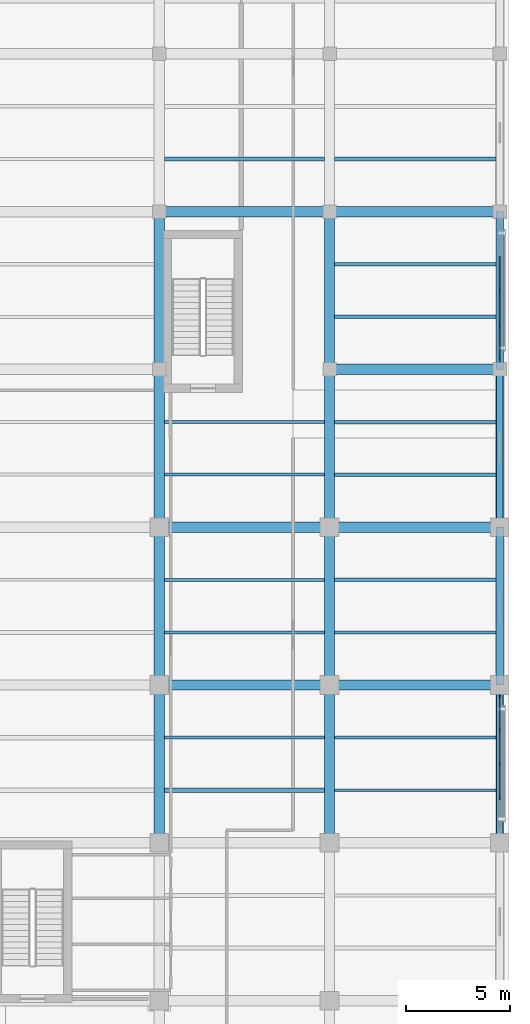
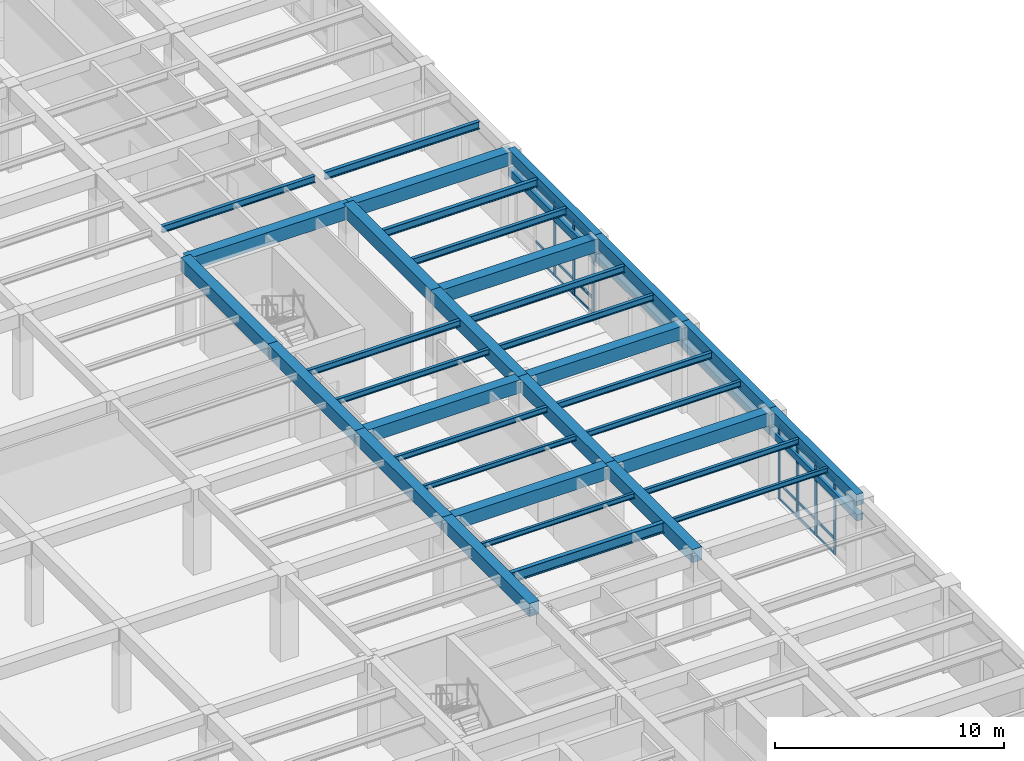
# One storey, part 24 of 49: 39 beams, 25 members, 2 elements without a shape of their own.
"""IFC4 building model written with IfcOpenShell, lengths in metres."""

from ifc_helpers import new_model, si_unit, direction, frame, origin, origin_2d, place, context, subcontext, project, spatial, rectangle, i_section, extrude, material, material_profile, profile_set, type_object, element, aggregate, save


model = new_model("IFC4")

# Units and contexts
model_context = context("Model", 3, precision=1e-05, world=origin(), true_north=direction((0.0, 1.0)))
body_context = subcontext(model_context, "Body", "Model", "MODEL_VIEW")
ifc_project = project(units=[si_unit("LENGTHUNIT", "METRE"), si_unit("AREAUNIT", "SQUARE_METRE"), si_unit("VOLUMEUNIT", "CUBIC_METRE"), si_unit("PLANEANGLEUNIT", "RADIAN"), si_unit("MASSUNIT", "GRAM", prefix="KILO")], contexts=[model_context])

# Site, building, storey
site_placement = place(None, origin())
site = spatial("IfcSite", under=ifc_project, at=site_placement, CompositionType="ELEMENT")
building_placement = place(site_placement, origin())
building = spatial("IfcBuilding", under=site, at=building_placement, Name="Qandaris Square Conservatory and Botanical Centre", CompositionType="ELEMENT")
storey_placement = place(building_placement, frame((0.0, 0.0, 10.199951171875)))
storey = spatial("IfcBuildingStorey", under=building, at=storey_placement, Name="L02", CompositionType="ELEMENT", Elevation=10.199951171875)

# Beams
ifc_material_1 = material(Name="Steel S355", Category="steel")
ifc_material_profile_1 = material_profile(ifc_material_1, i_section(OverallWidth=0.14990234375, OverallDepth=0.300048828125, WebThickness=0.007080078125, FlangeThickness=0.0107421875, FilletRadius=0.014892578125, at=origin_2d()), Name="IPE 300")
ifc_profile_set_1 = profile_set([ifc_material_profile_1], Name="Steel S355")
beam_type_1 = type_object("IfcBeamType", Name="Composite Lab Joist IPE 300", PredefinedType="JOIST", material=ifc_profile_set_1)
for number, where, z_axis, x_axis, name in (
    (1, (147.64990234375, 59.666748046875, 4.35009765625), (1.0, 0.0, 0.0), (0.0, 1.0, 0.0), "L02 Composite Joist 1508"),
    (2, (147.64990234375, 64.7333984375, 4.35009765625), (1.0, 0.0, 0.0), (0.0, 1.0, 0.0), "L02 Composite Joist 1509"),
):
    element("IfcBeam", number, at=place(storey_placement, frame(where, z_axis=z_axis, x_axis=x_axis)), inside=storey, type_object=beam_type_1, Name=name, PredefinedType="JOIST", context=body_context, shape_type="SweptSolid", body=[
        extrude(i_section(OverallWidth=0.14990234375, OverallDepth=0.300048828125, WebThickness=0.007080078125, FlangeThickness=0.0107421875, FilletRadius=0.014892578125, at=origin_2d()), origin(), (0.0, 0.0, 1.0), 7.7001953125),
    ])
for number, where, z_axis, x_axis, name in (
    (3, (155.85009765625, 52.066650390625, 4.35009765625), (1.0, 0.0, 0.0), (0.0, 1.0, 0.0), "L02 Composite Joist 1524"),
    (4, (155.85009765625, 57.13330078125, 4.35009765625), (1.0, 0.0, 0.0), (0.0, 1.0, 0.0), "L02 Composite Joist 1525"),
):
    element("IfcBeam", number, at=place(storey_placement, frame(where, z_axis=z_axis, x_axis=x_axis)), inside=storey, type_object=beam_type_1, Name=name, PredefinedType="JOIST", context=body_context, shape_type="SweptSolid", body=[
        extrude(i_section(OverallWidth=0.14990234375, OverallDepth=0.300048828125, WebThickness=0.007080078125, FlangeThickness=0.0107421875, FilletRadius=0.014892578125, at=origin_2d()), origin(), (0.0, 0.0, 1.0), 7.77490234375),
    ])
ifc_material_profile_2 = material_profile(ifc_material_1, i_section(OverallWidth=0.159912109375, OverallDepth=0.330078125, WebThickness=0.007568359375, FlangeThickness=0.011474609375, FilletRadius=0.01806640625, at=origin_2d()), Name="IPE 330")
ifc_profile_set_2 = profile_set([ifc_material_profile_2], Name="Steel S355")
beam_type_2 = type_object("IfcBeamType", Name="Composite Lab Joist IPE 330", PredefinedType="JOIST", material=ifc_profile_set_2)
beam_1_placement = place(storey_placement, frame((147.64990234375, 67.2666015625, 4.3349609375), z_axis=(1.0, 0.0, 0.0), x_axis=(0.0, 1.0, 0.0)))
element("IfcBeam", 5, at=beam_1_placement, inside=storey, type_object=beam_type_2, Name="L02 Composite Joist 1510", PredefinedType="JOIST", context=body_context, shape_type="SweptSolid", body=[
    extrude(i_section(OverallWidth=0.159912109375, OverallDepth=0.330078125, WebThickness=0.007568359375, FlangeThickness=0.011474609375, FilletRadius=0.01806640625, at=origin_2d()), origin(), (0.0, 0.0, 1.0), 7.7001953125),
])
for number, where, z_axis, x_axis, name in (
    (6, (155.85009765625, 59.666748046875, 4.3349609375), (1.0, 0.0, 0.0), (0.0, 1.0, 0.0), "L02 Composite Joist 1526"),
    (7, (155.85009765625, 64.7333984375, 4.3349609375), (1.0, 0.0, 0.0), (0.0, 1.0, 0.0), "L02 Composite Joist 1527"),
):
    element("IfcBeam", number, at=place(storey_placement, frame(where, z_axis=z_axis, x_axis=x_axis)), inside=storey, type_object=beam_type_2, Name=name, PredefinedType="JOIST", context=body_context, shape_type="SweptSolid", body=[
        extrude(i_section(OverallWidth=0.159912109375, OverallDepth=0.330078125, WebThickness=0.007568359375, FlangeThickness=0.011474609375, FilletRadius=0.01806640625, at=origin_2d()), origin(), (0.0, 0.0, 1.0), 7.77490234375),
    ])
ifc_material_profile_3 = material_profile(ifc_material_1, i_section(OverallWidth=0.169921875, OverallDepth=0.360107421875, WebThickness=0.008056640625, FlangeThickness=0.0126953125, FilletRadius=0.01806640625, at=origin_2d()), Name="IPE 360")
ifc_profile_set_3 = profile_set([ifc_material_profile_3], Name="Steel S355")
beam_type_3 = type_object("IfcBeamType", Name="Composite Lab Joist IPE 360", PredefinedType="JOIST", material=ifc_profile_set_3)
beam_2_placement = place(storey_placement, frame((147.64990234375, 79.933349609375, 4.320068359375), z_axis=(1.0, 0.0, 0.0), x_axis=(0.0, 1.0, 0.0)))
element("IfcBeam", 8, at=beam_2_placement, inside=storey, type_object=beam_type_3, Name="L02 Composite Joist 1511", PredefinedType="JOIST", context=body_context, shape_type="SweptSolid", body=[
    extrude(i_section(OverallWidth=0.169921875, OverallDepth=0.360107421875, WebThickness=0.008056640625, FlangeThickness=0.0126953125, FilletRadius=0.01806640625, at=origin_2d()), origin(), (0.0, 0.0, 1.0), 7.7001953125),
])
for number, where, z_axis, x_axis, name in (
    (9, (155.85009765625, 67.2666015625, 4.320068359375), (1.0, 0.0, 0.0), (0.0, 1.0, 0.0), "L02 Composite Joist 1528"),
    (10, (155.85009765625, 72.333251953125, 4.320068359375), (1.0, 0.0, 0.0), (0.0, 1.0, 0.0), "L02 Composite Joist 1529"),
):
    element("IfcBeam", number, at=place(storey_placement, frame(where, z_axis=z_axis, x_axis=x_axis)), inside=storey, type_object=beam_type_3, Name=name, PredefinedType="JOIST", context=body_context, shape_type="SweptSolid", body=[
        extrude(i_section(OverallWidth=0.169921875, OverallDepth=0.360107421875, WebThickness=0.008056640625, FlangeThickness=0.0126953125, FilletRadius=0.01806640625, at=origin_2d()), origin(), (0.0, 0.0, 1.0), 7.77490234375),
    ])
ifc_material_profile_4 = material_profile(ifc_material_1, i_section(OverallWidth=0.179931640625, OverallDepth=0.39990234375, WebThickness=0.008544921875, FlangeThickness=0.013427734375, FilletRadius=0.02099609375, at=origin_2d()), Name="IPE 400")
ifc_profile_set_4 = profile_set([ifc_material_profile_4], Name="Steel S355")
beam_type_4 = type_object("IfcBeamType", Name="Composite Plinth Joist IPE 400", PredefinedType="JOIST", material=ifc_profile_set_4)
for number, where, z_axis, x_axis, name in (
    (11, (155.85009765625, 74.86669921875, 4.300048828125), (1.0, 0.0, 0.0), (0.0, 1.0, 0.0), "L02 Composite Joist 1530"),
    (12, (155.85009765625, 79.933349609375, 4.300048828125), (1.0, 0.0, 0.0), (0.0, 1.0, 0.0), "L02 Composite Joist 1531"),
):
    element("IfcBeam", number, at=place(storey_placement, frame(where, z_axis=z_axis, x_axis=x_axis)), inside=storey, type_object=beam_type_4, Name=name, PredefinedType="JOIST", context=body_context, shape_type="SweptSolid", body=[
        extrude(i_section(OverallWidth=0.179931640625, OverallDepth=0.39990234375, WebThickness=0.008544921875, FlangeThickness=0.013427734375, FilletRadius=0.02099609375, at=origin_2d()), origin(), (0.0, 0.0, 1.0), 7.77490234375),
    ])

# Curtain wall, members
ifc_material_2 = material(Name="Anodised Aluminium", Category="aluminium")
curtain_wall_type_1 = type_object("IfcCurtainWallType", Name="Unitised Curtain Wall CW-4-650x394", PredefinedType="USERDEFINED", material=ifc_material_2)
curtain_wall_1_placement = place(storey_placement, origin())
curtain_wall_1 = element("IfcCurtainWall", 13, at=curtain_wall_1_placement, inside=storey, type_object=curtain_wall_type_1, Name="Curtain Wall CW-TWR-L02-2-5", ObjectType="GLAZED CURTAIN WALL", PredefinedType="USERDEFINED")
ifc_material_profile_5 = material_profile(ifc_material_2, rectangle(XDim=0.06494140625, YDim=0.179931640625, at=origin_2d()), Name="ALU-MUL 65x180")
ifc_profile_set_5 = profile_set([ifc_material_profile_5], Name="Anodised Aluminium")
member_type_1 = type_object("IfcMemberType", Name="Curtain Wall Mullion 65x180", PredefinedType="MULLION", material=ifc_profile_set_5)
member_1_placement = place(storey_placement, frame((163.800048828125, 49.175048828125, 0.0), z_axis=(0.0, 0.0, 1.0), x_axis=(-1.0, 0.0, 0.0)))
member_1 = element("IfcMember", 14, at=member_1_placement, type_object=member_type_1, Name="CW-4-650x394 mullion 2", PredefinedType="MULLION", context=body_context, shape_type="SweptSolid", body=[
    extrude(rectangle(XDim=0.06494140625, YDim=0.179931640625, at=origin_2d()), origin(), (0.0, 0.0, 1.0), 3.945068359375),
])
member_2_placement = place(storey_placement, frame((163.800048828125, 50.800048828125, 0.0), z_axis=(0.0, 0.0, 1.0), x_axis=(-1.0, 0.0, 0.0)))
member_2 = element("IfcMember", 15, at=member_2_placement, type_object=member_type_1, Name="CW-4-650x394 mullion 3", PredefinedType="MULLION", context=body_context, shape_type="SweptSolid", body=[
    extrude(rectangle(XDim=0.06494140625, YDim=0.179931640625, at=origin_2d()), origin(), (0.0, 0.0, 1.0), 3.945068359375),
])
member_3_placement = place(storey_placement, frame((163.800048828125, 52.425048828125, 0.0), z_axis=(0.0, 0.0, 1.0), x_axis=(-1.0, 0.0, 0.0)))
member_3 = element("IfcMember", 16, at=member_3_placement, type_object=member_type_1, Name="CW-4-650x394 mullion 4", PredefinedType="MULLION", context=body_context, shape_type="SweptSolid", body=[
    extrude(rectangle(XDim=0.06494140625, YDim=0.179931640625, at=origin_2d()), origin(), (0.0, 0.0, 1.0), 3.945068359375),
])
member_4_placement = place(storey_placement, frame((163.800048828125, 54.017578125, 0.0), z_axis=(0.0, 0.0, 1.0), x_axis=(-1.0, 0.0, 0.0)))
member_4 = element("IfcMember", 17, at=member_4_placement, type_object=member_type_1, Name="CW-4-650x394 mullion 5", PredefinedType="MULLION", context=body_context, shape_type="SweptSolid", body=[
    extrude(rectangle(XDim=0.06494140625, YDim=0.179931640625, at=origin_2d()), origin(), (0.0, 0.0, 1.0), 3.945068359375),
])

curtain_wall_type_2 = type_object("IfcCurtainWallType", Name="Unitised Curtain Wall CW-4-675x394", PredefinedType="USERDEFINED", material=ifc_material_2)
curtain_wall_2_placement = place(storey_placement, origin())
curtain_wall_2 = element("IfcCurtainWall", 18, at=curtain_wall_2_placement, inside=storey, type_object=curtain_wall_type_2, Name="Curtain Wall CW-TWR-L02-2-8", ObjectType="GLAZED CURTAIN WALL", PredefinedType="USERDEFINED")
member_5_placement = place(storey_placement, frame((163.800048828125, 70.257568359375, 0.0), z_axis=(0.0, 0.0, 1.0), x_axis=(-1.0, 0.0, 0.0)))
member_5 = element("IfcMember", 19, at=member_5_placement, type_object=member_type_1, Name="CW-4-675x394 mullion 1", PredefinedType="MULLION", context=body_context, shape_type="SweptSolid", body=[
    extrude(rectangle(XDim=0.06494140625, YDim=0.179931640625, at=origin_2d()), origin(), (0.0, 0.0, 1.0), 3.945068359375),
])
member_6_placement = place(storey_placement, frame((163.800048828125, 71.91259765625, 0.0), z_axis=(0.0, 0.0, 1.0), x_axis=(-1.0, 0.0, 0.0)))
member_6 = element("IfcMember", 20, at=member_6_placement, type_object=member_type_1, Name="CW-4-675x394 mullion 2", PredefinedType="MULLION", context=body_context, shape_type="SweptSolid", body=[
    extrude(rectangle(XDim=0.06494140625, YDim=0.179931640625, at=origin_2d()), origin(), (0.0, 0.0, 1.0), 3.945068359375),
])
member_7_placement = place(storey_placement, frame((163.800048828125, 73.60009765625, 0.0), z_axis=(0.0, 0.0, 1.0), x_axis=(-1.0, 0.0, 0.0)))
member_7 = element("IfcMember", 21, at=member_7_placement, type_object=member_type_1, Name="CW-4-675x394 mullion 3", PredefinedType="MULLION", context=body_context, shape_type="SweptSolid", body=[
    extrude(rectangle(XDim=0.06494140625, YDim=0.179931640625, at=origin_2d()), origin(), (0.0, 0.0, 1.0), 3.945068359375),
])

# Member
ifc_material_profile_6 = material_profile(ifc_material_2, rectangle(XDim=0.06494140625, YDim=0.139892578125, at=origin_2d()), Name="ALU-TRN 65x140")
ifc_profile_set_6 = profile_set([ifc_material_profile_6], Name="Anodised Aluminium")
member_type_2 = type_object("IfcMemberType", Name="Curtain Wall Transom 65x140", PredefinedType="USERDEFINED", material=ifc_profile_set_6)
member_8_placement = place(storey_placement, frame((163.800048828125, 49.20751953125, 0.032470703125), z_axis=(0.0, 1.0, 0.0), x_axis=(-1.0, 0.0, 0.0)))
member_8 = element("IfcMember", 22, at=member_8_placement, type_object=member_type_2, Name="CW-4-650x394 transom 2.1", ObjectType="TRANSOM", PredefinedType="USERDEFINED", context=body_context, shape_type="SweptSolid", body=[
    extrude(rectangle(XDim=0.06494140625, YDim=0.139892578125, at=origin_2d()), origin(), (0.0, 0.0, 1.0), 1.56005859375),
])

member_9_placement = place(storey_placement, frame((163.800048828125, 49.20751953125, 0.85009765625), z_axis=(0.0, 1.0, 0.0), x_axis=(-1.0, 0.0, 0.0)))
member_9 = element("IfcMember", 23, at=member_9_placement, type_object=member_type_2, Name="CW-4-650x394 transom 2.2", ObjectType="TRANSOM", PredefinedType="USERDEFINED", context=body_context, shape_type="SweptSolid", body=[
    extrude(rectangle(XDim=0.06494140625, YDim=0.139892578125, at=origin_2d()), origin(), (0.0, 0.0, 1.0), 1.56005859375),
])

member_10_placement = place(storey_placement, frame((163.800048828125, 49.20751953125, 3.91259765625), z_axis=(0.0, 1.0, 0.0), x_axis=(-1.0, 0.0, 0.0)))
member_10 = element("IfcMember", 24, at=member_10_placement, type_object=member_type_2, Name="CW-4-650x394 transom 2.3", ObjectType="TRANSOM", PredefinedType="USERDEFINED", context=body_context, shape_type="SweptSolid", body=[
    extrude(rectangle(XDim=0.06494140625, YDim=0.139892578125, at=origin_2d()), origin(), (0.0, 0.0, 1.0), 1.56005859375),
])

member_11_placement = place(storey_placement, frame((163.800048828125, 50.83251953125, 0.032470703125), z_axis=(0.0, 1.0, 0.0), x_axis=(-1.0, 0.0, 0.0)))
member_11 = element("IfcMember", 25, at=member_11_placement, type_object=member_type_2, Name="CW-4-650x394 transom 3.1", ObjectType="TRANSOM", PredefinedType="USERDEFINED", context=body_context, shape_type="SweptSolid", body=[
    extrude(rectangle(XDim=0.06494140625, YDim=0.139892578125, at=origin_2d()), origin(), (0.0, 0.0, 1.0), 1.56005859375),
])

member_12_placement = place(storey_placement, frame((163.800048828125, 50.83251953125, 0.85009765625), z_axis=(0.0, 1.0, 0.0), x_axis=(-1.0, 0.0, 0.0)))
member_12 = element("IfcMember", 26, at=member_12_placement, type_object=member_type_2, Name="CW-4-650x394 transom 3.2", ObjectType="TRANSOM", PredefinedType="USERDEFINED", context=body_context, shape_type="SweptSolid", body=[
    extrude(rectangle(XDim=0.06494140625, YDim=0.139892578125, at=origin_2d()), origin(), (0.0, 0.0, 1.0), 1.56005859375),
])

member_13_placement = place(storey_placement, frame((163.800048828125, 50.83251953125, 3.91259765625), z_axis=(0.0, 1.0, 0.0), x_axis=(-1.0, 0.0, 0.0)))
member_13 = element("IfcMember", 27, at=member_13_placement, type_object=member_type_2, Name="CW-4-650x394 transom 3.3", ObjectType="TRANSOM", PredefinedType="USERDEFINED", context=body_context, shape_type="SweptSolid", body=[
    extrude(rectangle(XDim=0.06494140625, YDim=0.139892578125, at=origin_2d()), origin(), (0.0, 0.0, 1.0), 1.56005859375),
])

member_14_placement = place(storey_placement, frame((163.800048828125, 52.45751953125, 0.032470703125), z_axis=(0.0, 1.0, 0.0), x_axis=(-1.0, 0.0, 0.0)))
member_14 = element("IfcMember", 28, at=member_14_placement, type_object=member_type_2, Name="CW-4-650x394 transom 4.1", ObjectType="TRANSOM", PredefinedType="USERDEFINED", context=body_context, shape_type="SweptSolid", body=[
    extrude(rectangle(XDim=0.06494140625, YDim=0.139892578125, at=origin_2d()), origin(), (0.0, 0.0, 1.0), 1.527587890625),
])

member_15_placement = place(storey_placement, frame((163.800048828125, 52.45751953125, 0.85009765625), z_axis=(0.0, 1.0, 0.0), x_axis=(-1.0, 0.0, 0.0)))
member_15 = element("IfcMember", 29, at=member_15_placement, type_object=member_type_2, Name="CW-4-650x394 transom 4.2", ObjectType="TRANSOM", PredefinedType="USERDEFINED", context=body_context, shape_type="SweptSolid", body=[
    extrude(rectangle(XDim=0.06494140625, YDim=0.139892578125, at=origin_2d()), origin(), (0.0, 0.0, 1.0), 1.527587890625),
])

member_16_placement = place(storey_placement, frame((163.800048828125, 52.45751953125, 3.91259765625), z_axis=(0.0, 1.0, 0.0), x_axis=(-1.0, 0.0, 0.0)))
member_16 = element("IfcMember", 30, at=member_16_placement, type_object=member_type_2, Name="CW-4-650x394 transom 4.3", ObjectType="TRANSOM", PredefinedType="USERDEFINED", context=body_context, shape_type="SweptSolid", body=[
    extrude(rectangle(XDim=0.06494140625, YDim=0.139892578125, at=origin_2d()), origin(), (0.0, 0.0, 1.0), 1.527587890625),
])

aggregate(curtain_wall_1, [member_1, member_2, member_3, member_4, member_8, member_9, member_10, member_11, member_12, member_13, member_14, member_15, member_16])

member_17_placement = place(storey_placement, frame((163.800048828125, 70.2900390625, 0.032470703125), z_axis=(0.0, 1.0, 0.0), x_axis=(-1.0, 0.0, 0.0)))
member_17 = element("IfcMember", 31, at=member_17_placement, type_object=member_type_2, Name="CW-4-675x394 transom 1.1", ObjectType="TRANSOM", PredefinedType="USERDEFINED", context=body_context, shape_type="SweptSolid", body=[
    extrude(rectangle(XDim=0.06494140625, YDim=0.139892578125, at=origin_2d()), origin(), (0.0, 0.0, 1.0), 1.58984375),
])

member_18_placement = place(storey_placement, frame((163.800048828125, 70.2900390625, 0.85009765625), z_axis=(0.0, 1.0, 0.0), x_axis=(-1.0, 0.0, 0.0)))
member_18 = element("IfcMember", 32, at=member_18_placement, type_object=member_type_2, Name="CW-4-675x394 transom 1.2", ObjectType="TRANSOM", PredefinedType="USERDEFINED", context=body_context, shape_type="SweptSolid", body=[
    extrude(rectangle(XDim=0.06494140625, YDim=0.139892578125, at=origin_2d()), origin(), (0.0, 0.0, 1.0), 1.58984375),
])

member_19_placement = place(storey_placement, frame((163.800048828125, 70.2900390625, 3.91259765625), z_axis=(0.0, 1.0, 0.0), x_axis=(-1.0, 0.0, 0.0)))
member_19 = element("IfcMember", 33, at=member_19_placement, type_object=member_type_2, Name="CW-4-675x394 transom 1.3", ObjectType="TRANSOM", PredefinedType="USERDEFINED", context=body_context, shape_type="SweptSolid", body=[
    extrude(rectangle(XDim=0.06494140625, YDim=0.139892578125, at=origin_2d()), origin(), (0.0, 0.0, 1.0), 1.58984375),
])

member_20_placement = place(storey_placement, frame((163.800048828125, 71.945068359375, 0.032470703125), z_axis=(0.0, 1.0, 0.0), x_axis=(-1.0, 0.0, 0.0)))
member_20 = element("IfcMember", 34, at=member_20_placement, type_object=member_type_2, Name="CW-4-675x394 transom 2.1", ObjectType="TRANSOM", PredefinedType="USERDEFINED", context=body_context, shape_type="SweptSolid", body=[
    extrude(rectangle(XDim=0.06494140625, YDim=0.139892578125, at=origin_2d()), origin(), (0.0, 0.0, 1.0), 1.622314453125),
])

member_21_placement = place(storey_placement, frame((163.800048828125, 71.945068359375, 0.85009765625), z_axis=(0.0, 1.0, 0.0), x_axis=(-1.0, 0.0, 0.0)))
member_21 = element("IfcMember", 35, at=member_21_placement, type_object=member_type_2, Name="CW-4-675x394 transom 2.2", ObjectType="TRANSOM", PredefinedType="USERDEFINED", context=body_context, shape_type="SweptSolid", body=[
    extrude(rectangle(XDim=0.06494140625, YDim=0.139892578125, at=origin_2d()), origin(), (0.0, 0.0, 1.0), 1.622314453125),
])

member_22_placement = place(storey_placement, frame((163.800048828125, 71.945068359375, 3.91259765625), z_axis=(0.0, 1.0, 0.0), x_axis=(-1.0, 0.0, 0.0)))
member_22 = element("IfcMember", 36, at=member_22_placement, type_object=member_type_2, Name="CW-4-675x394 transom 2.3", ObjectType="TRANSOM", PredefinedType="USERDEFINED", context=body_context, shape_type="SweptSolid", body=[
    extrude(rectangle(XDim=0.06494140625, YDim=0.139892578125, at=origin_2d()), origin(), (0.0, 0.0, 1.0), 1.622314453125),
])

member_23_placement = place(storey_placement, frame((163.800048828125, 73.632568359375, 0.032470703125), z_axis=(0.0, 1.0, 0.0), x_axis=(-1.0, 0.0, 0.0)))
member_23 = element("IfcMember", 37, at=member_23_placement, type_object=member_type_2, Name="CW-4-675x394 transom 3.1", ObjectType="TRANSOM", PredefinedType="USERDEFINED", context=body_context, shape_type="SweptSolid", body=[
    extrude(rectangle(XDim=0.06494140625, YDim=0.139892578125, at=origin_2d()), origin(), (0.0, 0.0, 1.0), 1.622314453125),
])

member_24_placement = place(storey_placement, frame((163.800048828125, 73.632568359375, 0.85009765625), z_axis=(0.0, 1.0, 0.0), x_axis=(-1.0, 0.0, 0.0)))
member_24 = element("IfcMember", 38, at=member_24_placement, type_object=member_type_2, Name="CW-4-675x394 transom 3.2", ObjectType="TRANSOM", PredefinedType="USERDEFINED", context=body_context, shape_type="SweptSolid", body=[
    extrude(rectangle(XDim=0.06494140625, YDim=0.139892578125, at=origin_2d()), origin(), (0.0, 0.0, 1.0), 1.622314453125),
])

member_25_placement = place(storey_placement, frame((163.800048828125, 73.632568359375, 3.91259765625), z_axis=(0.0, 1.0, 0.0), x_axis=(-1.0, 0.0, 0.0)))
member_25 = element("IfcMember", 39, at=member_25_placement, type_object=member_type_2, Name="CW-4-675x394 transom 3.3", ObjectType="TRANSOM", PredefinedType="USERDEFINED", context=body_context, shape_type="SweptSolid", body=[
    extrude(rectangle(XDim=0.06494140625, YDim=0.139892578125, at=origin_2d()), origin(), (0.0, 0.0, 1.0), 1.622314453125),
])

aggregate(curtain_wall_2, [member_5, member_6, member_7, member_17, member_18, member_19, member_20, member_21, member_22, member_23, member_24, member_25])

# Beams
ifc_material_profile_7 = material_profile(ifc_material_1, i_section(OverallWidth=0.2099609375, OverallDepth=0.550048828125, WebThickness=0.010986328125, FlangeThickness=0.01708984375, FilletRadius=0.02392578125, at=origin_2d()), Name="IPE 550")
ifc_profile_set_7 = profile_set([ifc_material_profile_7], Name="Steel S355")
beam_type_5 = type_object("IfcBeamType", Name="Long-Span Foyer Joist IPE 550", PredefinedType="JOIST", material=ifc_profile_set_7)
beam_3_placement = place(storey_placement, frame((147.64990234375, 49.533203125, 4.22509765625), z_axis=(1.0, 0.0, 0.0), x_axis=(0.0, 1.0, 0.0)))
element("IfcBeam", 40, at=beam_3_placement, inside=storey, type_object=beam_type_5, Name="L02 Composite Joist 1505", PredefinedType="JOIST", context=body_context, shape_type="SweptSolid", body=[
    extrude(i_section(OverallWidth=0.2099609375, OverallDepth=0.550048828125, WebThickness=0.010986328125, FlangeThickness=0.01708984375, FilletRadius=0.02392578125, at=origin_2d()), origin(), (0.0, 0.0, 1.0), 7.7001953125),
])
ifc_material_3 = material(Name="Precast concrete C40/50", Category="concrete")
ifc_material_profile_8 = material_profile(ifc_material_3, rectangle(XDim=0.300048828125, YDim=0.35009765625, at=origin_2d()), Name="RC-LN 300x350")
ifc_profile_set_8 = profile_set([ifc_material_profile_8], Name="Precast concrete C40/50")
beam_type_6 = type_object("IfcBeamType", Name="Precast Opening Lintel 300x350", PredefinedType="LINTEL", material=ifc_profile_set_8)
for number, where, z_axis, x_axis, name in (
    (41, (163.800048828125, 47.0, 3.295166015625), (0.0, 1.0, 0.0), (-1.0, 0.0, 0.0), "Precast Lintel 030"),
    (42, (163.800048828125, 62.199951171875, 3.295166015625), (0.0, 1.0, 0.0), (-1.0, 0.0, 0.0), "Precast Lintel 032"),
):
    element("IfcBeam", number, at=place(storey_placement, frame(where, z_axis=z_axis, x_axis=x_axis)), inside=storey, type_object=beam_type_6, Name=name, PredefinedType="LINTEL", context=body_context, shape_type="SweptSolid", body=[
        extrude(rectangle(XDim=0.300048828125, YDim=0.35009765625, at=origin_2d()), origin(), (0.0, 0.0, 1.0), 7.60009765625),
    ])
ifc_material_profile_9 = material_profile(ifc_material_3, rectangle(XDim=0.35009765625, YDim=0.39990234375, at=origin_2d()), Name="RC-LN 350x400")
ifc_profile_set_9 = profile_set([ifc_material_profile_9], Name="Precast concrete C40/50")
beam_type_7 = type_object("IfcBeamType", Name="Precast Opening Lintel 350x400", PredefinedType="LINTEL", material=ifc_profile_set_9)
for number, where, z_axis, x_axis, name in (
    (43, (163.800048828125, 54.60009765625, 3.320068359375), (0.0, 1.0, 0.0), (-1.0, 0.0, 0.0), "Precast Lintel 031"),
    (44, (163.800048828125, 69.800048828125, 3.320068359375), (0.0, 1.0, 0.0), (-1.0, 0.0, 0.0), "Precast Lintel 033"),
):
    element("IfcBeam", number, at=place(storey_placement, frame(where, z_axis=z_axis, x_axis=x_axis)), inside=storey, type_object=beam_type_7, Name=name, PredefinedType="LINTEL", context=body_context, shape_type="SweptSolid", body=[
        extrude(rectangle(XDim=0.35009765625, YDim=0.39990234375, at=origin_2d()), origin(), (0.0, 0.0, 1.0), 7.599853515625),
    ])
ifc_material_4 = material(Name="Concrete C50/60", Category="concrete")
ifc_material_profile_10 = material_profile(ifc_material_4, rectangle(XDim=0.35009765625, YDim=0.60009765625, at=origin_2d()), Name="RC-SP 350x600")
ifc_profile_set_10 = profile_set([ifc_material_profile_10], Name="Concrete C50/60")
beam_type_8 = type_object("IfcBeamType", Name="RC Edge Spandrel Beam 350x600", PredefinedType="SPANDREL", material=ifc_profile_set_10)
beam_4_placement = place(storey_placement, frame((163.800048828125, 47.0, 4.2451171875), z_axis=(0.0, 1.0, 0.0), x_axis=(-1.0, 0.0, 0.0)))
element("IfcBeam", 45, at=beam_4_placement, inside=storey, type_object=beam_type_8, Name="L02 Frame Beam 1454", PredefinedType="SPANDREL", context=body_context, shape_type="SweptSolid", body=[
    extrude(rectangle(XDim=0.35009765625, YDim=0.60009765625, at=origin_2d()), origin(), (0.0, 0.0, 1.0), 7.60009765625),
])
beam_5_placement = place(storey_placement, frame((163.800048828125, 54.60009765625, 4.2451171875), z_axis=(0.0, 1.0, 0.0), x_axis=(-1.0, 0.0, 0.0)))
element("IfcBeam", 46, at=beam_5_placement, inside=storey, type_object=beam_type_8, Name="L02 Frame Beam 1455", PredefinedType="SPANDREL", context=body_context, shape_type="SweptSolid", body=[
    extrude(rectangle(XDim=0.35009765625, YDim=0.60009765625, at=origin_2d()), origin(), (0.0, 0.0, 1.0), 7.599853515625),
])
beam_6_placement = place(storey_placement, frame((163.800048828125, 62.199951171875, 4.2451171875), z_axis=(0.0, 1.0, 0.0), x_axis=(-1.0, 0.0, 0.0)))
element("IfcBeam", 47, at=beam_6_placement, inside=storey, type_object=beam_type_8, Name="L02 Frame Beam 1456", PredefinedType="SPANDREL", context=body_context, shape_type="SweptSolid", body=[
    extrude(rectangle(XDim=0.35009765625, YDim=0.60009765625, at=origin_2d()), origin(), (0.0, 0.0, 1.0), 7.60009765625),
])
beam_7_placement = place(storey_placement, frame((163.800048828125, 69.800048828125, 4.2451171875), z_axis=(0.0, 1.0, 0.0), x_axis=(-1.0, 0.0, 0.0)))
element("IfcBeam", 48, at=beam_7_placement, inside=storey, type_object=beam_type_8, Name="L02 Frame Beam 1457", PredefinedType="SPANDREL", context=body_context, shape_type="SweptSolid", body=[
    extrude(rectangle(XDim=0.35009765625, YDim=0.60009765625, at=origin_2d()), origin(), (0.0, 0.0, 1.0), 7.599853515625),
])
ifc_material_profile_11 = material_profile(ifc_material_4, rectangle(XDim=0.5, YDim=0.699951171875, at=origin_2d()), Name="RC-BM 500x700")
ifc_profile_set_11 = profile_set([ifc_material_profile_11], Name="Concrete C50/60")
beam_type_9 = type_object("IfcBeamType", Name="RC Floor Girder 500x700", PredefinedType="BEAM", material=ifc_profile_set_11)
beam_8_placement = place(storey_placement, frame((147.39990234375, 54.60009765625, 4.16015625), z_axis=(1.0, 0.0, 0.0), x_axis=(0.0, 1.0, 0.0)))
element("IfcBeam", 49, at=beam_8_placement, inside=storey, type_object=beam_type_9, Name="L02 Frame Beam 1340", PredefinedType="BEAM", context=body_context, shape_type="SweptSolid", body=[
    extrude(rectangle(XDim=0.5, YDim=0.699951171875, at=origin_2d()), origin(), (0.0, 0.0, 1.0), 8.2001953125),
])
beam_9_placement = place(storey_placement, frame((155.60009765625, 54.60009765625, 4.16015625), z_axis=(1.0, 0.0, 0.0), x_axis=(0.0, 1.0, 0.0)))
element("IfcBeam", 50, at=beam_9_placement, inside=storey, type_object=beam_type_9, Name="L02 Frame Beam 1341", PredefinedType="BEAM", context=body_context, shape_type="SweptSolid", body=[
    extrude(rectangle(XDim=0.5, YDim=0.699951171875, at=origin_2d()), origin(), (0.0, 0.0, 1.0), 8.199951171875),
])
beam_10_placement = place(storey_placement, frame((147.39990234375, 62.199951171875, 4.16015625), z_axis=(1.0, 0.0, 0.0), x_axis=(0.0, 1.0, 0.0)))
element("IfcBeam", 51, at=beam_10_placement, inside=storey, type_object=beam_type_9, Name="L02 Frame Beam 1346", PredefinedType="BEAM", context=body_context, shape_type="SweptSolid", body=[
    extrude(rectangle(XDim=0.5, YDim=0.699951171875, at=origin_2d()), origin(), (0.0, 0.0, 1.0), 8.2001953125),
])
for number, where, z_axis, x_axis, name in (
    (52, (155.60009765625, 62.199951171875, 4.16015625), (1.0, 0.0, 0.0), (0.0, 1.0, 0.0), "L02 Frame Beam 1347"),
    (53, (155.60009765625, 69.800048828125, 4.16015625), (1.0, 0.0, 0.0), (0.0, 1.0, 0.0), "L02 Frame Beam 1352"),
):
    element("IfcBeam", number, at=place(storey_placement, frame(where, z_axis=z_axis, x_axis=x_axis)), inside=storey, type_object=beam_type_9, Name=name, PredefinedType="BEAM", context=body_context, shape_type="SweptSolid", body=[
        extrude(rectangle(XDim=0.5, YDim=0.699951171875, at=origin_2d()), origin(), (0.0, 0.0, 1.0), 8.199951171875),
    ])
beam_11_placement = place(storey_placement, frame((147.39990234375, 77.39990234375, 4.16015625), z_axis=(1.0, 0.0, 0.0), x_axis=(0.0, 1.0, 0.0)))
element("IfcBeam", 54, at=beam_11_placement, inside=storey, type_object=beam_type_9, Name="L02 Frame Beam 1357", PredefinedType="BEAM", context=body_context, shape_type="SweptSolid", body=[
    extrude(rectangle(XDim=0.5, YDim=0.699951171875, at=origin_2d()), origin(), (0.0, 0.0, 1.0), 8.2001953125),
])
beam_12_placement = place(storey_placement, frame((155.60009765625, 77.39990234375, 4.16015625), z_axis=(1.0, 0.0, 0.0), x_axis=(0.0, 1.0, 0.0)))
element("IfcBeam", 55, at=beam_12_placement, inside=storey, type_object=beam_type_9, Name="L02 Frame Beam 1358", PredefinedType="BEAM", context=body_context, shape_type="SweptSolid", body=[
    extrude(rectangle(XDim=0.5, YDim=0.699951171875, at=origin_2d()), origin(), (0.0, 0.0, 1.0), 8.199951171875),
])
beam_13_placement = place(storey_placement, frame((147.39990234375, 47.0, 4.16015625), z_axis=(0.0, 1.0, 0.0), x_axis=(-1.0, 0.0, 0.0)))
element("IfcBeam", 56, at=beam_13_placement, inside=storey, type_object=beam_type_9, Name="L02 Frame Beam 1432", PredefinedType="BEAM", context=body_context, shape_type="SweptSolid", body=[
    extrude(rectangle(XDim=0.5, YDim=0.699951171875, at=origin_2d()), origin(), (0.0, 0.0, 1.0), 7.60009765625),
])
beam_14_placement = place(storey_placement, frame((147.39990234375, 54.60009765625, 4.16015625), z_axis=(0.0, 1.0, 0.0), x_axis=(-1.0, 0.0, 0.0)))
element("IfcBeam", 57, at=beam_14_placement, inside=storey, type_object=beam_type_9, Name="L02 Frame Beam 1433", PredefinedType="BEAM", context=body_context, shape_type="SweptSolid", body=[
    extrude(rectangle(XDim=0.5, YDim=0.699951171875, at=origin_2d()), origin(), (0.0, 0.0, 1.0), 7.599853515625),
])
beam_15_placement = place(storey_placement, frame((147.39990234375, 62.199951171875, 4.16015625), z_axis=(0.0, 1.0, 0.0), x_axis=(-1.0, 0.0, 0.0)))
element("IfcBeam", 58, at=beam_15_placement, inside=storey, type_object=beam_type_9, Name="L02 Frame Beam 1434", PredefinedType="BEAM", context=body_context, shape_type="SweptSolid", body=[
    extrude(rectangle(XDim=0.5, YDim=0.699951171875, at=origin_2d()), origin(), (0.0, 0.0, 1.0), 7.60009765625),
])
beam_16_placement = place(storey_placement, frame((147.39990234375, 69.800048828125, 4.16015625), z_axis=(0.0, 1.0, 0.0), x_axis=(-1.0, 0.0, 0.0)))
element("IfcBeam", 59, at=beam_16_placement, inside=storey, type_object=beam_type_9, Name="L02 Frame Beam 1435", PredefinedType="BEAM", context=body_context, shape_type="SweptSolid", body=[
    extrude(rectangle(XDim=0.5, YDim=0.699951171875, at=origin_2d()), origin(), (0.0, 0.0, 1.0), 7.599853515625),
])
beam_17_placement = place(storey_placement, frame((155.60009765625, 47.0, 4.16015625), z_axis=(0.0, 1.0, 0.0), x_axis=(-1.0, 0.0, 0.0)))
element("IfcBeam", 60, at=beam_17_placement, inside=storey, type_object=beam_type_9, Name="L02 Frame Beam 1443", PredefinedType="BEAM", context=body_context, shape_type="SweptSolid", body=[
    extrude(rectangle(XDim=0.5, YDim=0.699951171875, at=origin_2d()), origin(), (0.0, 0.0, 1.0), 7.60009765625),
])
beam_18_placement = place(storey_placement, frame((155.60009765625, 54.60009765625, 4.16015625), z_axis=(0.0, 1.0, 0.0), x_axis=(-1.0, 0.0, 0.0)))
element("IfcBeam", 61, at=beam_18_placement, inside=storey, type_object=beam_type_9, Name="L02 Frame Beam 1444", PredefinedType="BEAM", context=body_context, shape_type="SweptSolid", body=[
    extrude(rectangle(XDim=0.5, YDim=0.699951171875, at=origin_2d()), origin(), (0.0, 0.0, 1.0), 7.599853515625),
])
beam_19_placement = place(storey_placement, frame((155.60009765625, 62.199951171875, 4.16015625), z_axis=(0.0, 1.0, 0.0), x_axis=(-1.0, 0.0, 0.0)))
element("IfcBeam", 62, at=beam_19_placement, inside=storey, type_object=beam_type_9, Name="L02 Frame Beam 1445", PredefinedType="BEAM", context=body_context, shape_type="SweptSolid", body=[
    extrude(rectangle(XDim=0.5, YDim=0.699951171875, at=origin_2d()), origin(), (0.0, 0.0, 1.0), 7.60009765625),
])
beam_20_placement = place(storey_placement, frame((155.60009765625, 69.800048828125, 4.16015625), z_axis=(0.0, 1.0, 0.0), x_axis=(-1.0, 0.0, 0.0)))
element("IfcBeam", 63, at=beam_20_placement, inside=storey, type_object=beam_type_9, Name="L02 Frame Beam 1446", PredefinedType="BEAM", context=body_context, shape_type="SweptSolid", body=[
    extrude(rectangle(XDim=0.5, YDim=0.699951171875, at=origin_2d()), origin(), (0.0, 0.0, 1.0), 7.599853515625),
])
ifc_material_profile_12 = material_profile(ifc_material_1, i_section(OverallWidth=0.135009765625, OverallDepth=0.27001953125, WebThickness=0.006591796875, FlangeThickness=0.01025390625, FilletRadius=0.014892578125, at=origin_2d()), Name="IPE 270")
ifc_profile_set_12 = profile_set([ifc_material_profile_12], Name="Steel S355")
beam_type_10 = type_object("IfcBeamType", Name="Steel Floor Joist IPE 270", PredefinedType="JOIST", material=ifc_profile_set_12)
for number, where, z_axis, x_axis, name in (
    (64, (147.64990234375, 52.066650390625, 4.364990234375), (1.0, 0.0, 0.0), (0.0, 1.0, 0.0), "L02 Composite Joist 1506"),
    (65, (147.64990234375, 57.13330078125, 4.364990234375), (1.0, 0.0, 0.0), (0.0, 1.0, 0.0), "L02 Composite Joist 1507"),
):
    element("IfcBeam", number, at=place(storey_placement, frame(where, z_axis=z_axis, x_axis=x_axis)), inside=storey, type_object=beam_type_10, Name=name, PredefinedType="JOIST", context=body_context, shape_type="SweptSolid", body=[
        extrude(i_section(OverallWidth=0.135009765625, OverallDepth=0.27001953125, WebThickness=0.006591796875, FlangeThickness=0.01025390625, FilletRadius=0.014892578125, at=origin_2d()), origin(), (0.0, 0.0, 1.0), 7.7001953125),
    ])
beam_21_placement = place(storey_placement, frame((155.85009765625, 49.533203125, 4.364990234375), z_axis=(1.0, 0.0, 0.0), x_axis=(0.0, 1.0, 0.0)))
element("IfcBeam", 66, at=beam_21_placement, inside=storey, type_object=beam_type_10, Name="L02 Composite Joist 1523", PredefinedType="JOIST", context=body_context, shape_type="SweptSolid", body=[
    extrude(i_section(OverallWidth=0.135009765625, OverallDepth=0.27001953125, WebThickness=0.006591796875, FlangeThickness=0.01025390625, FilletRadius=0.014892578125, at=origin_2d()), origin(), (0.0, 0.0, 1.0), 7.77490234375),
])

save(model, "model.ifc")
